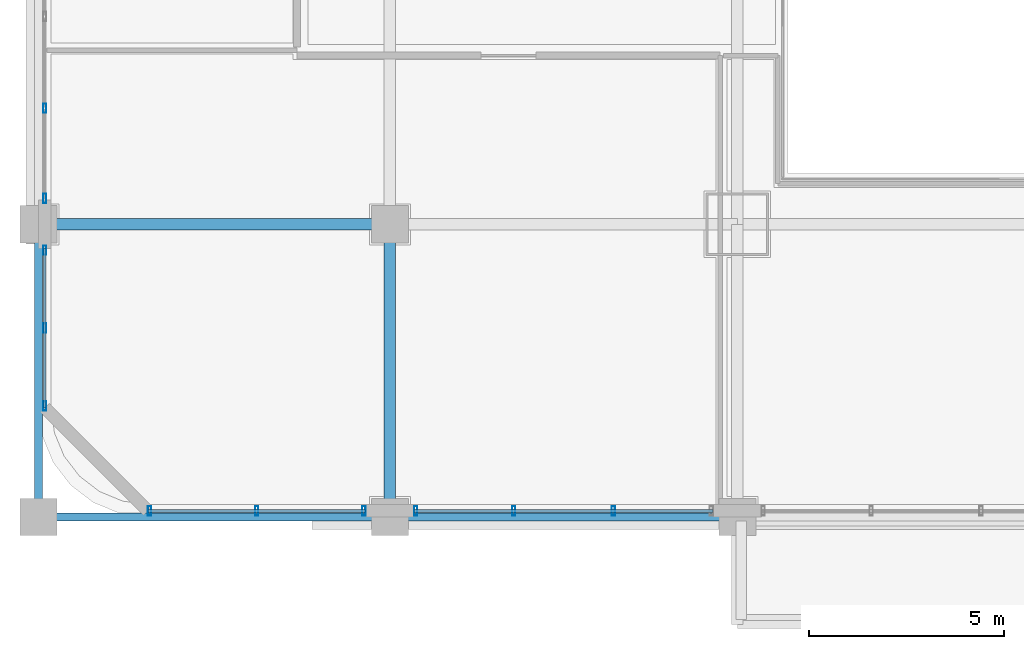
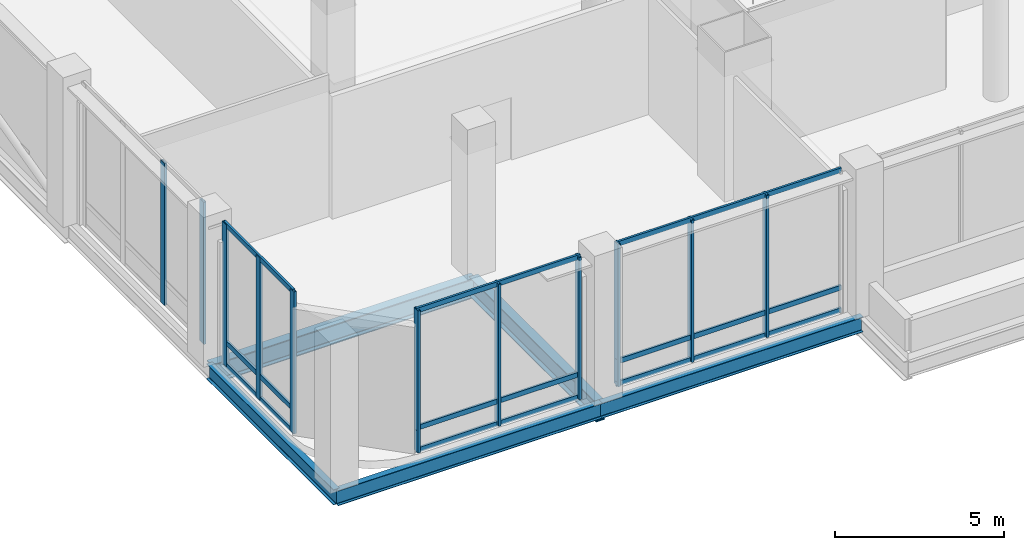
# One storey, part 2 of 43: 20 members, 5 beams, 4 elements without a shape of their own.
"""IFC4 building model written with IfcOpenShell, lengths in metres."""

from ifc_helpers import new_model, si_unit, direction, frame, origin, origin_2d, place, context, subcontext, project, spatial, hollow_rectangle, i_section, extrude, material, material_profile, profile_set, type_object, element, aggregate, save


model = new_model("IFC4")

# Units and contexts
model_context = context("Model", 3, precision=1e-05, world=origin(), true_north=direction((0.0, 1.0)))
body_context = subcontext(model_context, "Body", "Model", "MODEL_VIEW")
ifc_project = project(units=[si_unit("LENGTHUNIT", "METRE"), si_unit("AREAUNIT", "SQUARE_METRE"), si_unit("VOLUMEUNIT", "CUBIC_METRE"), si_unit("PLANEANGLEUNIT", "RADIAN"), si_unit("MASSUNIT", "GRAM", prefix="KILO")], contexts=[model_context])

# Site, building, storey
site_placement = place(None, origin())
site = spatial("IfcSite", under=ifc_project, at=site_placement, CompositionType="ELEMENT")
building_placement = place(site_placement, origin())
building = spatial("IfcBuilding", under=site, at=building_placement, Name="Punatoya Terracotta Tower", CompositionType="ELEMENT")
storey_placement = place(building_placement, frame((0.0, 0.0, 6.0)))
storey = spatial("IfcBuildingStorey", under=building, at=storey_placement, Name="L01", CompositionType="ELEMENT", Elevation=6.0)

# Beams
ifc_material_1 = material(Name="Steel S355", Category="steel")
ifc_material_profile_1 = material_profile(ifc_material_1, i_section(OverallWidth=0.300048828125, OverallDepth=0.699951171875, WebThickness=0.01708984375, FlangeThickness=0.031982421875, FilletRadius=0.01806640625, at=origin_2d()))
ifc_profile_set_1 = profile_set([ifc_material_profile_1], Name="Steel S355")
beam_type_1 = type_object("IfcBeamType", Name="BM-PRI-700", PredefinedType="BEAM", material=ifc_profile_set_1)
beam_1_placement = place(storey_placement, frame((-37.0, -17.5, -0.6298828125), z_axis=(1.0, 0.0, 0.0), x_axis=(0.0, 1.0, 0.0)))
element("IfcBeam", 1, at=beam_1_placement, inside=storey, type_object=beam_type_1, Name="BM-L01-BW1", PredefinedType="BEAM", context=body_context, shape_type="SweptSolid", body=[
    extrude(i_section(OverallWidth=0.300048828125, OverallDepth=0.699951171875, WebThickness=0.01708984375, FlangeThickness=0.031982421875, FilletRadius=0.01806640625, at=origin_2d()), origin(), (0.0, 0.0, 1.0), 9.0),
])
beam_2_placement = place(storey_placement, frame((-28.0, -25.0, -0.6298828125), z_axis=(0.0, 1.0, 0.0), x_axis=(-1.0, 0.0, 0.0)))
element("IfcBeam", 2, at=beam_2_placement, inside=storey, type_object=beam_type_1, Name="BM-L01-X28W--25", PredefinedType="BEAM", context=body_context, shape_type="SweptSolid", body=[
    extrude(i_section(OverallWidth=0.300048828125, OverallDepth=0.699951171875, WebThickness=0.01708984375, FlangeThickness=0.031982421875, FilletRadius=0.01806640625, at=origin_2d()), origin(), (0.0, 0.0, 1.0), 7.5),
])
ifc_material_profile_2 = material_profile(ifc_material_1, i_section(OverallWidth=0.2099609375, OverallDepth=0.550048828125, WebThickness=0.010986328125, FlangeThickness=0.01708984375, FilletRadius=0.01806640625, at=origin_2d()))
ifc_profile_set_2 = profile_set([ifc_material_profile_2], Name="Steel S355")
beam_type_2 = type_object("IfcBeamType", Name="BM-SPN-550", PredefinedType="SPANDREL", material=ifc_profile_set_2)
beam_3_placement = place(storey_placement, frame((-37.0, -25.0, -0.554931640625), z_axis=(1.0, 0.0, 0.0), x_axis=(0.0, 1.0, 0.0)))
element("IfcBeam", 3, at=beam_3_placement, inside=storey, type_object=beam_type_2, Name="BM-L01-AW1", PredefinedType="SPANDREL", context=body_context, shape_type="SweptSolid", body=[
    extrude(i_section(OverallWidth=0.2099609375, OverallDepth=0.550048828125, WebThickness=0.010986328125, FlangeThickness=0.01708984375, FilletRadius=0.01806640625, at=origin_2d()), origin(), (0.0, 0.0, 1.0), 9.0),
])
beam_4_placement = place(storey_placement, frame((-28.0, -25.0, -0.554931640625), z_axis=(1.0, 0.0, 0.0), x_axis=(0.0, 1.0, 0.0)))
element("IfcBeam", 4, at=beam_4_placement, inside=storey, type_object=beam_type_2, Name="BM-L01-AW2", PredefinedType="SPANDREL", context=body_context, shape_type="SweptSolid", body=[
    extrude(i_section(OverallWidth=0.2099609375, OverallDepth=0.550048828125, WebThickness=0.010986328125, FlangeThickness=0.01708984375, FilletRadius=0.01806640625, at=origin_2d()), origin(), (0.0, 0.0, 1.0), 8.89990234375),
])
beam_5_placement = place(storey_placement, frame((-37.0, -25.0, -0.554931640625), z_axis=(0.0, 1.0, 0.0), x_axis=(-1.0, 0.0, 0.0)))
element("IfcBeam", 5, at=beam_5_placement, inside=storey, type_object=beam_type_2, Name="BM-L01-X37W--25", PredefinedType="SPANDREL", context=body_context, shape_type="SweptSolid", body=[
    extrude(i_section(OverallWidth=0.2099609375, OverallDepth=0.550048828125, WebThickness=0.010986328125, FlangeThickness=0.01708984375, FilletRadius=0.01806640625, at=origin_2d()), origin(), (0.0, 0.0, 1.0), 7.5),
])

# Curtain wall, members
ifc_material_2 = material(Name="Aluminium 6063-T6 + Double Low-E Glass", Category="aluminium")
curtain_wall_type = type_object("IfcCurtainWallType", Name="CW-POD", PredefinedType="NOTDEFINED", material=ifc_material_2)
curtain_wall_1_placement = place(storey_placement, origin())
curtain_wall_1 = element("IfcCurtainWall", 6, at=curtain_wall_1_placement, inside=storey, type_object=curtain_wall_type, Name="L01 Curtain Wall CWP-L01-S1", PredefinedType="NOTDEFINED")
ifc_material_3 = material(Name="Aluminium 6063-T6", Category="aluminium")
ifc_material_profile_3 = material_profile(ifc_material_3, hollow_rectangle(XDim=0.0849609375, YDim=0.239990234375, WallThickness=0.0048828125, at=origin_2d()))
ifc_profile_set_3 = profile_set([ifc_material_profile_3], Name="Aluminium 6063-T6")
member_type_1 = type_object("IfcMemberType", Name="CW-MUL-POD", PredefinedType="MULLION", material=ifc_profile_set_3)
member_1_placement = place(storey_placement, frame((-34.155029296875, -24.840087890625, 0.0), z_axis=(0.0, 0.0, 1.0), x_axis=(1.0, 0.0, 0.0)))
member_1 = element("IfcMember", 7, at=member_1_placement, type_object=member_type_1, Name="CWP-L01-S1 Mullion 00", PredefinedType="MULLION", context=body_context, shape_type="SweptSolid", body=[
    extrude(hollow_rectangle(XDim=0.0849609375, YDim=0.239990234375, WallThickness=0.0048828125, at=origin_2d()), origin(), (0.0, 0.0, 1.0), 5.1201171875),
])
member_2_placement = place(storey_placement, frame((-31.409912109375, -24.840087890625, 0.0), z_axis=(0.0, 0.0, 1.0), x_axis=(1.0, 0.0, 0.0)))
member_2 = element("IfcMember", 8, at=member_2_placement, type_object=member_type_1, Name="CWP-L01-S1 Mullion 01", PredefinedType="MULLION", context=body_context, shape_type="SweptSolid", body=[
    extrude(hollow_rectangle(XDim=0.0849609375, YDim=0.239990234375, WallThickness=0.0048828125, at=origin_2d()), origin(), (0.0, 0.0, 1.0), 5.1201171875),
])
member_3_placement = place(storey_placement, frame((-28.6650390625, -24.840087890625, 0.0), z_axis=(0.0, 0.0, 1.0), x_axis=(1.0, 0.0, 0.0)))
member_3 = element("IfcMember", 9, at=member_3_placement, type_object=member_type_1, Name="CWP-L01-S1 Mullion 02", PredefinedType="MULLION", context=body_context, shape_type="SweptSolid", body=[
    extrude(hollow_rectangle(XDim=0.0849609375, YDim=0.239990234375, WallThickness=0.0048828125, at=origin_2d()), origin(), (0.0, 0.0, 1.0), 5.1201171875),
])

curtain_wall_2_placement = place(storey_placement, origin())
curtain_wall_2 = element("IfcCurtainWall", 10, at=curtain_wall_2_placement, inside=storey, type_object=curtain_wall_type, Name="L01 Curtain Wall CWP-L01-S2", PredefinedType="NOTDEFINED")
member_4_placement = place(storey_placement, frame((-27.3349609375, -24.840087890625, 0.0), z_axis=(0.0, 0.0, 1.0), x_axis=(1.0, 0.0, 0.0)))
member_4 = element("IfcMember", 11, at=member_4_placement, type_object=member_type_1, Name="CWP-L01-S2 Mullion 00", PredefinedType="MULLION", context=body_context, shape_type="SweptSolid", body=[
    extrude(hollow_rectangle(XDim=0.0849609375, YDim=0.239990234375, WallThickness=0.0048828125, at=origin_2d()), origin(), (0.0, 0.0, 1.0), 5.1201171875),
])
member_5_placement = place(storey_placement, frame((-24.82666015625, -24.840087890625, 0.0), z_axis=(0.0, 0.0, 1.0), x_axis=(1.0, 0.0, 0.0)))
member_5 = element("IfcMember", 12, at=member_5_placement, type_object=member_type_1, Name="CWP-L01-S2 Mullion 01", PredefinedType="MULLION", context=body_context, shape_type="SweptSolid", body=[
    extrude(hollow_rectangle(XDim=0.0849609375, YDim=0.239990234375, WallThickness=0.0048828125, at=origin_2d()), origin(), (0.0, 0.0, 1.0), 5.1201171875),
])
member_6_placement = place(storey_placement, frame((-22.273193359375, -24.840087890625, 0.0), z_axis=(0.0, 0.0, 1.0), x_axis=(1.0, 0.0, 0.0)))
member_6 = element("IfcMember", 13, at=member_6_placement, type_object=member_type_1, Name="CWP-L01-S2 Mullion 02", PredefinedType="MULLION", context=body_context, shape_type="SweptSolid", body=[
    extrude(hollow_rectangle(XDim=0.0849609375, YDim=0.239990234375, WallThickness=0.0048828125, at=origin_2d()), origin(), (0.0, 0.0, 1.0), 5.1201171875),
])

curtain_wall_3_placement = place(storey_placement, origin())
curtain_wall_3 = element("IfcCurtainWall", 14, at=curtain_wall_3_placement, inside=storey, type_object=curtain_wall_type, Name="L01 Curtain Wall CWP-L01-W1", PredefinedType="NOTDEFINED")
member_7_placement = place(storey_placement, frame((-36.840087890625, -22.155029296875, 0.0), z_axis=(0.0, 0.0, 1.0), x_axis=(1.0, 0.0, 0.0)))
member_7 = element("IfcMember", 15, at=member_7_placement, type_object=member_type_1, Name="CWP-L01-W1 Mullion 00", PredefinedType="MULLION", context=body_context, shape_type="SweptSolid", body=[
    extrude(hollow_rectangle(XDim=0.0849609375, YDim=0.239990234375, WallThickness=0.0048828125, at=origin_2d()), origin(), (0.0, 0.0, 1.0), 5.1201171875),
])
member_8_placement = place(storey_placement, frame((-36.840087890625, -20.159912109375, 0.0), z_axis=(0.0, 0.0, 1.0), x_axis=(1.0, 0.0, 0.0)))
member_8 = element("IfcMember", 16, at=member_8_placement, type_object=member_type_1, Name="CWP-L01-W1 Mullion 01", PredefinedType="MULLION", context=body_context, shape_type="SweptSolid", body=[
    extrude(hollow_rectangle(XDim=0.0849609375, YDim=0.239990234375, WallThickness=0.0048828125, at=origin_2d()), origin(), (0.0, 0.0, 1.0), 5.1201171875),
])
member_9_placement = place(storey_placement, frame((-36.840087890625, -18.1650390625, 0.0), z_axis=(0.0, 0.0, 1.0), x_axis=(1.0, 0.0, 0.0)))
member_9 = element("IfcMember", 17, at=member_9_placement, type_object=member_type_1, Name="CWP-L01-W1 Mullion 02", PredefinedType="MULLION", context=body_context, shape_type="SweptSolid", body=[
    extrude(hollow_rectangle(XDim=0.0849609375, YDim=0.239990234375, WallThickness=0.0048828125, at=origin_2d()), origin(), (0.0, 0.0, 1.0), 5.1201171875),
])

curtain_wall_4_placement = place(storey_placement, origin())
curtain_wall_4 = element("IfcCurtainWall", 18, at=curtain_wall_4_placement, inside=storey, type_object=curtain_wall_type, Name="L01 Curtain Wall CWP-L01-W2", PredefinedType="NOTDEFINED")
member_10_placement = place(storey_placement, frame((-36.840087890625, -16.8349609375, 0.0), z_axis=(0.0, 0.0, 1.0), x_axis=(1.0, 0.0, 0.0)))
member_10 = element("IfcMember", 19, at=member_10_placement, type_object=member_type_1, Name="CWP-L01-W2 Mullion 00", PredefinedType="MULLION", context=body_context, shape_type="SweptSolid", body=[
    extrude(hollow_rectangle(XDim=0.0849609375, YDim=0.239990234375, WallThickness=0.0048828125, at=origin_2d()), origin(), (0.0, 0.0, 1.0), 5.1201171875),
])
member_11_placement = place(storey_placement, frame((-36.840087890625, -14.526611328125, 0.0), z_axis=(0.0, 0.0, 1.0), x_axis=(1.0, 0.0, 0.0)))
member_11 = element("IfcMember", 20, at=member_11_placement, type_object=member_type_1, Name="CWP-L01-W2 Mullion 01", PredefinedType="MULLION", context=body_context, shape_type="SweptSolid", body=[
    extrude(hollow_rectangle(XDim=0.0849609375, YDim=0.239990234375, WallThickness=0.0048828125, at=origin_2d()), origin(), (0.0, 0.0, 1.0), 5.1201171875),
])
aggregate(curtain_wall_4, [member_10, member_11])

# Member
ifc_material_profile_4 = material_profile(ifc_material_3, hollow_rectangle(XDim=0.074951171875, YDim=0.175048828125, WallThickness=0.00439453125, at=origin_2d()))
ifc_profile_set_4 = profile_set([ifc_material_profile_4], Name="Aluminium 6063-T6")
member_type_2 = type_object("IfcMemberType", Name="CW-TRN-POD", PredefinedType="USERDEFINED", material=ifc_profile_set_4)
member_12_placement = place(storey_placement, frame((-34.199951171875, -24.840087890625, 0.0400390625), z_axis=(1.0, 0.0, 0.0), x_axis=(0.0, 1.0, 0.0)))
member_12 = element("IfcMember", 21, at=member_12_placement, type_object=member_type_2, Name="CWP-L01-S1 Transom 1", ObjectType="TRANSOM", PredefinedType="USERDEFINED", context=body_context, shape_type="SweptSolid", body=[
    extrude(hollow_rectangle(XDim=0.074951171875, YDim=0.175048828125, WallThickness=0.00439453125, at=origin_2d()), origin(), (0.0, 0.0, 1.0), 5.579833984375),
])

member_13_placement = place(storey_placement, frame((-34.199951171875, -24.840087890625, 0.85009765625), z_axis=(1.0, 0.0, 0.0), x_axis=(0.0, 1.0, 0.0)))
member_13 = element("IfcMember", 22, at=member_13_placement, type_object=member_type_2, Name="CWP-L01-S1 Transom 2", ObjectType="TRANSOM", PredefinedType="USERDEFINED", context=body_context, shape_type="SweptSolid", body=[
    extrude(hollow_rectangle(XDim=0.074951171875, YDim=0.175048828125, WallThickness=0.00439453125, at=origin_2d()), origin(), (0.0, 0.0, 1.0), 5.579833984375),
])

member_14_placement = place(storey_placement, frame((-34.199951171875, -24.840087890625, 5.080078125), z_axis=(1.0, 0.0, 0.0), x_axis=(0.0, 1.0, 0.0)))
member_14 = element("IfcMember", 23, at=member_14_placement, type_object=member_type_2, Name="CWP-L01-S1 Transom 3", ObjectType="TRANSOM", PredefinedType="USERDEFINED", context=body_context, shape_type="SweptSolid", body=[
    extrude(hollow_rectangle(XDim=0.074951171875, YDim=0.175048828125, WallThickness=0.00439453125, at=origin_2d()), origin(), (0.0, 0.0, 1.0), 5.579833984375),
])

aggregate(curtain_wall_1, [member_1, member_2, member_3, member_12, member_13, member_14])

member_15_placement = place(storey_placement, frame((-27.3798828125, -24.840087890625, 0.0400390625), z_axis=(1.0, 0.0, 0.0), x_axis=(0.0, 1.0, 0.0)))
member_15 = element("IfcMember", 24, at=member_15_placement, type_object=member_type_2, Name="CWP-L01-S2 Transom 1", ObjectType="TRANSOM", PredefinedType="USERDEFINED", context=body_context, shape_type="SweptSolid", body=[
    extrude(hollow_rectangle(XDim=0.074951171875, YDim=0.175048828125, WallThickness=0.00439453125, at=origin_2d()), origin(), (0.0, 0.0, 1.0), 7.659912109375),
])

member_16_placement = place(storey_placement, frame((-27.3798828125, -24.840087890625, 0.85009765625), z_axis=(1.0, 0.0, 0.0), x_axis=(0.0, 1.0, 0.0)))
member_16 = element("IfcMember", 25, at=member_16_placement, type_object=member_type_2, Name="CWP-L01-S2 Transom 2", ObjectType="TRANSOM", PredefinedType="USERDEFINED", context=body_context, shape_type="SweptSolid", body=[
    extrude(hollow_rectangle(XDim=0.074951171875, YDim=0.175048828125, WallThickness=0.00439453125, at=origin_2d()), origin(), (0.0, 0.0, 1.0), 7.659912109375),
])

member_17_placement = place(storey_placement, frame((-27.3798828125, -24.840087890625, 5.080078125), z_axis=(1.0, 0.0, 0.0), x_axis=(0.0, 1.0, 0.0)))
member_17 = element("IfcMember", 26, at=member_17_placement, type_object=member_type_2, Name="CWP-L01-S2 Transom 3", ObjectType="TRANSOM", PredefinedType="USERDEFINED", context=body_context, shape_type="SweptSolid", body=[
    extrude(hollow_rectangle(XDim=0.074951171875, YDim=0.175048828125, WallThickness=0.00439453125, at=origin_2d()), origin(), (0.0, 0.0, 1.0), 7.659912109375),
])

aggregate(curtain_wall_2, [member_4, member_5, member_6, member_15, member_16, member_17])

member_18_placement = place(storey_placement, frame((-36.840087890625, -22.199951171875, 0.0400390625), z_axis=(0.0, 1.0, 0.0), x_axis=(-1.0, 0.0, 0.0)))
member_18 = element("IfcMember", 27, at=member_18_placement, type_object=member_type_2, Name="CWP-L01-W1 Transom 1", ObjectType="TRANSOM", PredefinedType="USERDEFINED", context=body_context, shape_type="SweptSolid", body=[
    extrude(hollow_rectangle(XDim=0.074951171875, YDim=0.175048828125, WallThickness=0.00439453125, at=origin_2d()), origin(), (0.0, 0.0, 1.0), 4.079833984375),
])

member_19_placement = place(storey_placement, frame((-36.840087890625, -22.199951171875, 0.85009765625), z_axis=(0.0, 1.0, 0.0), x_axis=(-1.0, 0.0, 0.0)))
member_19 = element("IfcMember", 28, at=member_19_placement, type_object=member_type_2, Name="CWP-L01-W1 Transom 2", ObjectType="TRANSOM", PredefinedType="USERDEFINED", context=body_context, shape_type="SweptSolid", body=[
    extrude(hollow_rectangle(XDim=0.074951171875, YDim=0.175048828125, WallThickness=0.00439453125, at=origin_2d()), origin(), (0.0, 0.0, 1.0), 4.079833984375),
])

member_20_placement = place(storey_placement, frame((-36.840087890625, -22.199951171875, 5.080078125), z_axis=(0.0, 1.0, 0.0), x_axis=(-1.0, 0.0, 0.0)))
member_20 = element("IfcMember", 29, at=member_20_placement, type_object=member_type_2, Name="CWP-L01-W1 Transom 3", ObjectType="TRANSOM", PredefinedType="USERDEFINED", context=body_context, shape_type="SweptSolid", body=[
    extrude(hollow_rectangle(XDim=0.074951171875, YDim=0.175048828125, WallThickness=0.00439453125, at=origin_2d()), origin(), (0.0, 0.0, 1.0), 4.079833984375),
])

aggregate(curtain_wall_3, [member_7, member_8, member_9, member_18, member_19, member_20])

save(model, "model.ifc")
